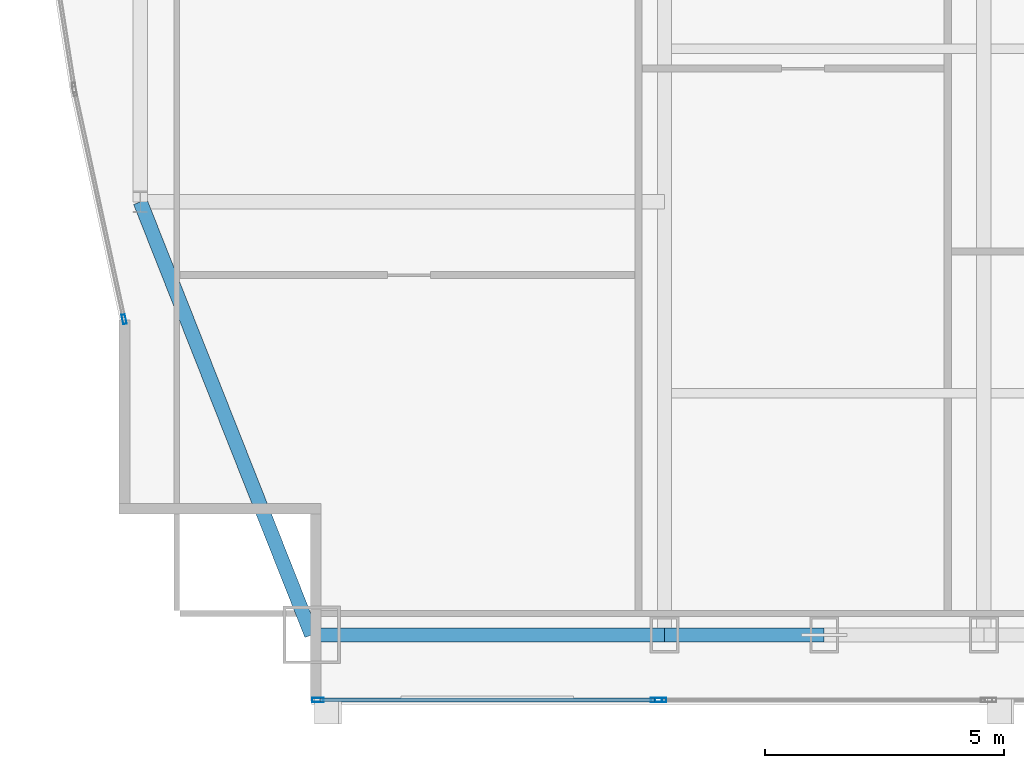
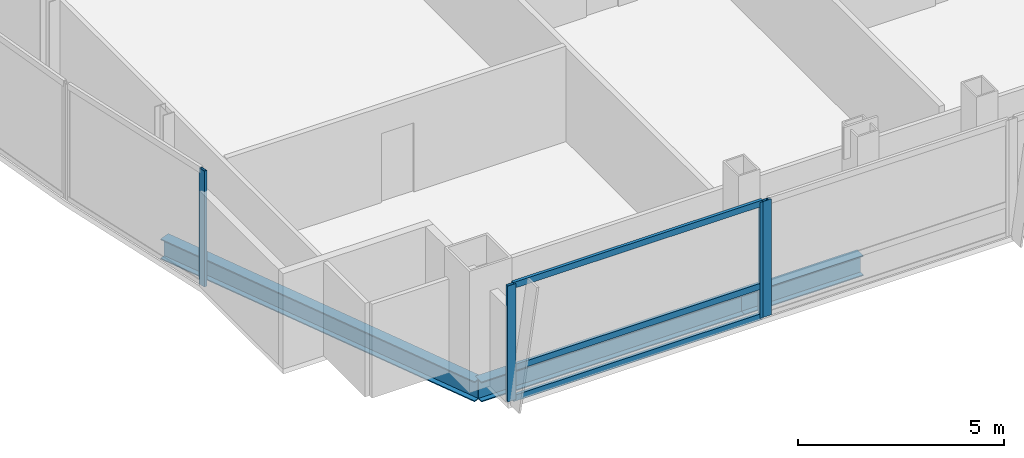
# One storey, part 5 of 30: 7 members, 3 beams, 3 elements without a shape of their own.
"""IFC4 building model written with IfcOpenShell, lengths in metres."""

from ifc_helpers import new_model, si_unit, direction, frame, origin, origin_2d, place, context, subcontext, project, spatial, hollow_rectangle, i_section, extrude, material, material_profile, profile_set, type_object, element, aggregate, save


model = new_model("IFC4")

# Units and contexts
model_context = context("Model", 3, precision=1e-05, world=origin(), true_north=direction((0.0, 1.0)))
body_context = subcontext(model_context, "Body", "Model", "MODEL_VIEW")
ifc_project = project(units=[si_unit("LENGTHUNIT", "METRE"), si_unit("AREAUNIT", "SQUARE_METRE"), si_unit("VOLUMEUNIT", "CUBIC_METRE"), si_unit("PLANEANGLEUNIT", "RADIAN"), si_unit("MASSUNIT", "GRAM", prefix="KILO")], contexts=[model_context])

# Site, building, storey
site_placement = place(None, origin())
site = spatial("IfcSite", under=ifc_project, at=site_placement, CompositionType="ELEMENT")
building_placement = place(site_placement, origin())
building = spatial("IfcBuilding", under=site, at=building_placement, Name="Khoronbel Lancet Exchange", CompositionType="ELEMENT")
storey_placement = place(building_placement, frame((0.0, 0.0, 217.39990234375)))
storey = spatial("IfcBuildingStorey", under=building, at=storey_placement, Name="L55", CompositionType="ELEMENT", Elevation=217.39990234375)

# Beams
ifc_material_1 = material(Name="Steel S355", Category="steel")
ifc_material_profile_1 = material_profile(ifc_material_1, i_section(OverallWidth=0.300048828125, OverallDepth=0.60009765625, WebThickness=0.015380859375, FlangeThickness=0.030029296875, at=origin_2d()), Name="HEB 600")
ifc_profile_set_1 = profile_set([ifc_material_profile_1], Name="Steel S355")
beam_type = type_object("IfcBeamType", Name="BM-BSP2", PredefinedType="SPANDREL", material=ifc_profile_set_1)
beam_1_placement = place(storey_placement, frame((10.85009765625, 10.14990234375, -0.4599609375), z_axis=(1.0, 0.0, 0.0), x_axis=(0.0, 1.0, 0.0)))
element("IfcBeam", 1, at=beam_1_placement, inside=storey, type_object=beam_type, Name="Level L55 perimeter spandrel beam SP01", PredefinedType="SPANDREL", context=body_context, shape_type="SweptSolid", body=[
    extrude(i_section(OverallWidth=0.300048828125, OverallDepth=0.60009765625, WebThickness=0.015380859375, FlangeThickness=0.030029296875, at=origin_2d()), origin(), (0.0, 0.0, 1.0), 7.375),
])
beam_2_placement = place(storey_placement, frame((18.22509765625, 10.14990234375, -0.4599609375), z_axis=(1.0, 0.0, 0.0), x_axis=(0.0, 1.0, 0.0)))
element("IfcBeam", 2, at=beam_2_placement, inside=storey, type_object=beam_type, Name="Level L55 perimeter spandrel beam SP02", PredefinedType="SPANDREL", context=body_context, shape_type="SweptSolid", body=[
    extrude(i_section(OverallWidth=0.300048828125, OverallDepth=0.60009765625, WebThickness=0.015380859375, FlangeThickness=0.030029296875, at=origin_2d()), origin(), (0.0, 0.0, 1.0), 3.33740234375),
])
beam_3_placement = place(storey_placement, frame((7.27001953125, 19.199951171875, -0.4599609375), z_axis=(0.367850095026, -0.92988510451, 0.0), x_axis=(0.92988510451, 0.367850095026, 0.0)))
element("IfcBeam", 3, at=beam_3_placement, inside=storey, type_object=beam_type, Name="Level L55 perimeter spandrel beam SP21", PredefinedType="SPANDREL", context=body_context, shape_type="SweptSolid", body=[
    extrude(i_section(OverallWidth=0.300048828125, OverallDepth=0.60009765625, WebThickness=0.015380859375, FlangeThickness=0.030029296875, at=origin_2d()), origin(), (0.0, 0.0, 1.0), 9.732421875),
])

# Curtain wall, members
ifc_material_2 = material(Name="Low-E Solar Control Insulating Glass", Category="glass")
curtain_wall_type_1 = type_object("IfcCurtainWallType", Name="CW-3", PredefinedType="NOTDEFINED", material=ifc_material_2)
curtain_wall_1_placement = place(storey_placement, origin())
curtain_wall_1 = element("IfcCurtainWall", 4, at=curtain_wall_1_placement, inside=storey, type_object=curtain_wall_type_1, Name="Unitised curtain wall CW-L55-SWV", PredefinedType="NOTDEFINED")
ifc_material_3 = material(Name="Bronze-Anodised Aluminium 6063-T6", Category="aluminium")
ifc_material_profile_2 = material_profile(ifc_material_3, hollow_rectangle(XDim=0.0849609375, YDim=0.239990234375, WallThickness=0.006103515625, at=origin_2d()), Name="ALU MULLION 85x240")
ifc_profile_set_2 = profile_set([ifc_material_profile_2], Name="Bronze-Anodised Aluminium 6063-T6")
member_type_1 = type_object("IfcMemberType", Name="MEM-CWM1", PredefinedType="MULLION", material=ifc_profile_set_2)
member_1_placement = place(storey_placement, frame((10.982421875, 8.7900390625, 0.0), z_axis=(0.0, 0.0, 1.0), x_axis=(0.0, 1.0, 0.0)))
member_1 = element("IfcMember", 5, at=member_1_placement, type_object=member_type_1, Name="CW3 mullion 1", PredefinedType="MULLION", context=body_context, shape_type="SweptSolid", body=[
    extrude(hollow_rectangle(XDim=0.0849609375, YDim=0.239990234375, WallThickness=0.006103515625, at=origin_2d()), origin(), (0.0, 0.0, 1.0), 3.440185546875),
])
member_2_placement = place(storey_placement, frame((18.0576171875, 8.7900390625, 0.0), z_axis=(0.0, 0.0, 1.0), x_axis=(0.0, 1.0, 0.0)))
member_2 = element("IfcMember", 6, at=member_2_placement, type_object=member_type_1, Name="CW3 mullion 2", PredefinedType="MULLION", context=body_context, shape_type="SweptSolid", body=[
    extrude(hollow_rectangle(XDim=0.0849609375, YDim=0.239990234375, WallThickness=0.006103515625, at=origin_2d()), origin(), (0.0, 0.0, 1.0), 3.440185546875),
])

# Curtain wall, member
curtain_wall_2_placement = place(storey_placement, origin())
curtain_wall_2 = element("IfcCurtainWall", 7, at=curtain_wall_2_placement, inside=storey, type_object=curtain_wall_type_1, Name="Unitised curtain wall CW-L55-SWB", PredefinedType="NOTDEFINED")
member_3_placement = place(storey_placement, frame((18.142578125, 8.7900390625, 0.0), z_axis=(0.0, 0.0, 1.0), x_axis=(0.0, 1.0, 0.0)))
member_3 = element("IfcMember", 8, at=member_3_placement, type_object=member_type_1, Name="CW3 mullion 1", PredefinedType="MULLION", context=body_context, shape_type="SweptSolid", body=[
    extrude(hollow_rectangle(XDim=0.0849609375, YDim=0.239990234375, WallThickness=0.006103515625, at=origin_2d()), origin(), (0.0, 0.0, 1.0), 3.440185546875),
])
aggregate(curtain_wall_2, [member_3])

curtain_wall_type_2 = type_object("IfcCurtainWallType", Name="CW-4", PredefinedType="NOTDEFINED", material=ifc_material_2)
curtain_wall_3_placement = place(storey_placement, origin())
curtain_wall_3 = element("IfcCurtainWall", 9, at=curtain_wall_3_placement, inside=storey, type_object=curtain_wall_type_2, Name="Unitised curtain wall CW-L55-E04", PredefinedType="NOTDEFINED")
ifc_material_profile_3 = material_profile(ifc_material_3, hollow_rectangle(XDim=0.074951171875, YDim=0.199951171875, WallThickness=0.0048828125, at=origin_2d()), Name="ALU MULLION 75x200")
ifc_profile_set_3 = profile_set([ifc_material_profile_3], Name="Bronze-Anodised Aluminium 6063-T6")
member_type_2 = type_object("IfcMemberType", Name="MEM-CWM2", PredefinedType="MULLION", material=ifc_profile_set_3)
member_4_placement = place(storey_placement, frame((6.93212890625, 16.746337890625, 0.0), z_axis=(0.0, 0.0, 1.0), x_axis=(-0.977341174585, -0.211670093448, 0.0)))
member_4 = element("IfcMember", 10, at=member_4_placement, type_object=member_type_2, Name="CW4 mullion 1", PredefinedType="MULLION", context=body_context, shape_type="SweptSolid", body=[
    extrude(hollow_rectangle(XDim=0.074951171875, YDim=0.199951171875, WallThickness=0.0048828125, at=origin_2d()), origin(), (0.0, 0.0, 1.0), 3.440185546875),
])
aggregate(curtain_wall_3, [member_4])

# Member
ifc_material_profile_4 = material_profile(ifc_material_3, hollow_rectangle(XDim=0.0849609375, YDim=0.179931640625, WallThickness=0.0048828125, at=origin_2d()), Name="ALU TRANSOM 85x180")
ifc_profile_set_4 = profile_set([ifc_material_profile_4], Name="Bronze-Anodised Aluminium 6063-T6")
member_type_3 = type_object("IfcMemberType", Name="MEM-CWT1", PredefinedType="USERDEFINED", material=ifc_profile_set_4)
member_5_placement = place(storey_placement, frame((11.02490234375, 8.7900390625, 0.04248046875), z_axis=(1.0, 0.0, 0.0), x_axis=(0.0, 1.0, 0.0)))
member_5 = element("IfcMember", 11, at=member_5_placement, type_object=member_type_3, Name="CW3 transom 1.1", ObjectType="TRANSOM", PredefinedType="USERDEFINED", context=body_context, shape_type="SweptSolid", body=[
    extrude(hollow_rectangle(XDim=0.0849609375, YDim=0.179931640625, WallThickness=0.0048828125, at=origin_2d()), origin(), (0.0, 0.0, 1.0), 6.989990234375),
])

member_6_placement = place(storey_placement, frame((11.02490234375, 8.7900390625, 0.9501953125), z_axis=(1.0, 0.0, 0.0), x_axis=(0.0, 1.0, 0.0)))
member_6 = element("IfcMember", 12, at=member_6_placement, type_object=member_type_3, Name="CW3 transom 1.2", ObjectType="TRANSOM", PredefinedType="USERDEFINED", context=body_context, shape_type="SweptSolid", body=[
    extrude(hollow_rectangle(XDim=0.0849609375, YDim=0.179931640625, WallThickness=0.0048828125, at=origin_2d()), origin(), (0.0, 0.0, 1.0), 6.989990234375),
])

member_7_placement = place(storey_placement, frame((11.02490234375, 8.7900390625, 3.397705078125), z_axis=(1.0, 0.0, 0.0), x_axis=(0.0, 1.0, 0.0)))
member_7 = element("IfcMember", 13, at=member_7_placement, type_object=member_type_3, Name="CW3 transom 1.3", ObjectType="TRANSOM", PredefinedType="USERDEFINED", context=body_context, shape_type="SweptSolid", body=[
    extrude(hollow_rectangle(XDim=0.0849609375, YDim=0.179931640625, WallThickness=0.0048828125, at=origin_2d()), origin(), (0.0, 0.0, 1.0), 6.989990234375),
])

aggregate(curtain_wall_1, [member_1, member_2, member_5, member_6, member_7])

save(model, "model.ifc")
